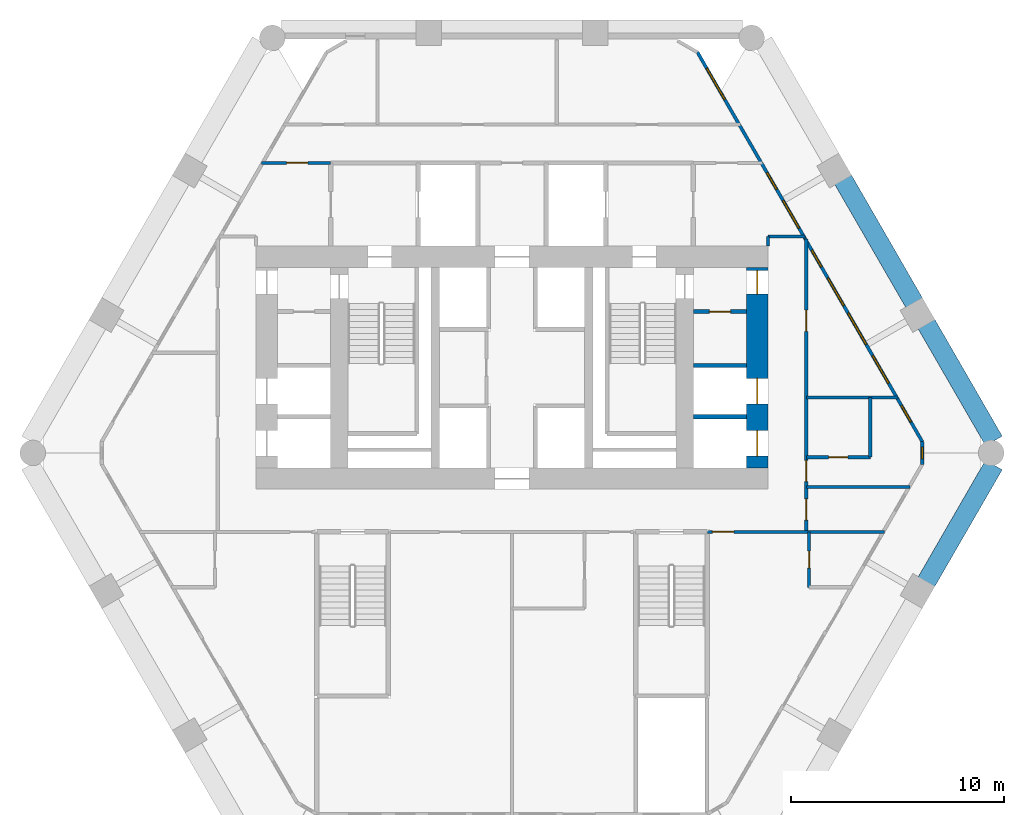
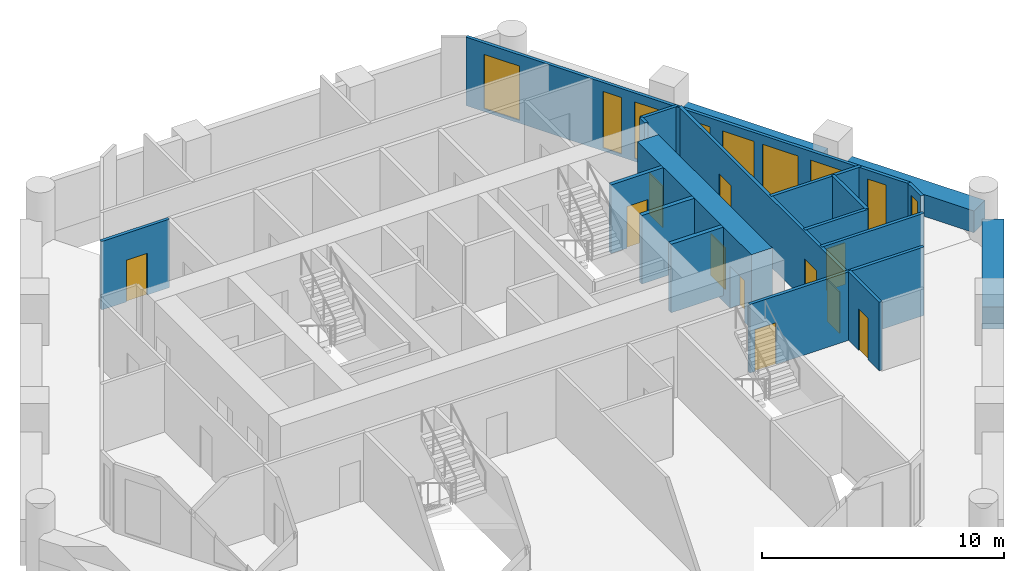
# One storey, part 5 of 7: 19 walls, 11 doors, 9 windows, 20 openings.
"""IFC4 building model written with IfcOpenShell, lengths in metres."""

from ifc_helpers import new_model, si_unit, direction, frame, frame_2d, origin, place, context, subcontext, project, spatial, rectangle, extrude, material, layer, layer_set, type_object, element, fill, save


model = new_model("IFC4")

# Units and contexts
model_context = context("Model", 3, precision=1e-05, world=origin(), true_north=direction((0.0, 1.0)))
body_context = subcontext(model_context, "Body", "Model", "MODEL_VIEW")
ifc_project = project(units=[si_unit("LENGTHUNIT", "METRE"), si_unit("AREAUNIT", "SQUARE_METRE"), si_unit("VOLUMEUNIT", "CUBIC_METRE"), si_unit("PLANEANGLEUNIT", "RADIAN"), si_unit("MASSUNIT", "GRAM", prefix="KILO")], contexts=[model_context])

# Site, building, storey
site_placement = place(None, origin())
site = spatial("IfcSite", under=ifc_project, at=site_placement, CompositionType="ELEMENT")
building_placement = place(site_placement, origin())
building = spatial("IfcBuilding", under=site, at=building_placement, Name="Ostrander Bayou Hotel Tower", CompositionType="ELEMENT")
storey_placement = place(building_placement, frame((0.0, 0.0, 89.25)))
storey = spatial("IfcBuildingStorey", under=building, at=storey_placement, Name="L22", CompositionType="ELEMENT", Elevation=89.25)

# Wall, openings, doors
ifc_material_1 = material(Name="Concrete f'c 70 MPa", Category="concrete")
ifc_layer_1 = layer(ifc_material_1, 1.0)
ifc_layer_set_1 = layer_set([ifc_layer_1], Name="CW4 core wall 1000 mm f'c 70 MPa")
wall_type_1 = type_object("IfcWallType", Name="CW4 core wall 1000 mm f'c 70 MPa", PredefinedType="SHEAR", material=ifc_layer_set_1)
wall_1_placement = place(storey_placement, frame((11.5, -0.699951171875, -0.300048828125), z_axis=(0.0, 0.0, 1.0), x_axis=(0.0, 1.0, 0.0)))
wall_1 = element("IfcWall", 1, at=wall_1_placement, inside=storey, type_object=wall_type_1, Name="CW4 L22 RE", PredefinedType="SHEAR", context=body_context, shape_type="SweptSolid", body=[
    extrude(rectangle(XDim=9.39990234375, YDim=1.0, at=frame_2d((4.699951171875, 0.0))), origin(), (0.0, 0.0, 1.0), 3.75),
])
opening_1_placement = place(wall_1_placement, frame((8.14990234375, 0.0, 0.0)))
opening_1 = element("IfcOpeningElement", 2, at=opening_1_placement, cuts=wall_1, Name="Opening T21-020", PredefinedType="OPENING", context=body_context, shape_type="SweptSolid", body=[
    extrude(rectangle(XDim=1.10009765625, YDim=2.10009765625, at=frame_2d((0.550048828125, 1.050048828125))), frame((0.0, 0.5, 0.0), z_axis=(0.0, -1.0, 0.0), x_axis=(1.0, 0.0, 0.0)), (0.0, 0.0, 1.0), 1.0),
])
opening_2_placement = place(wall_1_placement, frame((0.550048828125, 0.0, 0.0)))
opening_2 = element("IfcOpeningElement", 3, at=opening_2_placement, cuts=wall_1, Name="Opening T21-021", PredefinedType="OPENING", context=body_context, shape_type="SweptSolid", body=[
    extrude(rectangle(XDim=1.199951171875, YDim=2.10009765625, at=frame_2d((0.60009765625, 1.050048828125))), frame((0.0, 0.5, 0.0), z_axis=(0.0, -1.0, 0.0), x_axis=(1.0, 0.0, 0.0)), (0.0, 0.0, 1.0), 1.0),
])
opening_3_placement = place(wall_1_placement, frame((3.0, 0.0, 0.0)))
opening_3 = element("IfcOpeningElement", 4, at=opening_3_placement, cuts=wall_1, Name="Opening T21-022", PredefinedType="OPENING", context=body_context, shape_type="SweptSolid", body=[
    extrude(rectangle(XDim=1.199951171875, YDim=2.10009765625, at=frame_2d((0.60009765625, 1.050048828125))), frame((0.0, 0.5, 0.0), z_axis=(0.0, -1.0, 0.0), x_axis=(1.0, 0.0, 0.0)), (0.0, 0.0, 1.0), 1.0),
])
ifc_material_2 = material(Name="Timber door leaf", Category="wood")
door_type_1 = type_object("IfcDoorType", Name="D5 stair door 1100 x 2100 mm, 90 minute", OperationType="SINGLE_SWING_LEFT", PredefinedType="DOOR", material=ifc_material_2)
door_1_placement = place(opening_1_placement, origin())
door_1 = element("IfcDoor", 5, at=door_1_placement, inside=storey, type_object=door_type_1, Name="dr:L22:020", OperationType="SINGLE_SWING_RIGHT", OverallHeight=2.10009765625, OverallWidth=1.10009765625, PredefinedType="DOOR", context=body_context, shape_type="SweptSolid", body=[
    extrude(rectangle(XDim=1.10009765625, YDim=2.10009765625, at=frame_2d((0.550048828125, 1.050048828125))), frame((0.0, 0.02490234375, 0.0), z_axis=(0.0, -1.0, 0.0), x_axis=(1.0, 0.0, 0.0)), (0.0, 0.0, 1.0), 0.050048828125),
])
fill(opening_1, door_1)
ifc_material_3 = material(Name="Stainless steel sliding door", Category="steel")
door_type_2 = type_object("IfcDoorType", Name="LD1 lift landing door 1200 x 2100 mm", OperationType="SINGLE_SWING_LEFT", PredefinedType="DOOR", material=ifc_material_3)
door_2_placement = place(opening_2_placement, origin())
door_2 = element("IfcDoor", 6, at=door_2_placement, inside=storey, type_object=door_type_2, Name="dr:L22:021", OperationType="SLIDING_TO_LEFT", OverallHeight=2.10009765625, OverallWidth=1.199951171875, PredefinedType="DOOR", context=body_context, shape_type="SweptSolid", body=[
    extrude(rectangle(XDim=1.199951171875, YDim=2.10009765625, at=frame_2d((0.60009765625, 1.050048828125))), frame((0.0, 0.02490234375, 0.0), z_axis=(0.0, -1.0, 0.0), x_axis=(1.0, 0.0, 0.0)), (0.0, 0.0, 1.0), 0.050048828125),
])
fill(opening_2, door_2)
door_3_placement = place(opening_3_placement, origin())
door_3 = element("IfcDoor", 7, at=door_3_placement, inside=storey, type_object=door_type_2, Name="dr:L22:022", OperationType="SLIDING_TO_LEFT", OverallHeight=2.10009765625, OverallWidth=1.199951171875, PredefinedType="DOOR", context=body_context, shape_type="SweptSolid", body=[
    extrude(rectangle(XDim=1.199951171875, YDim=2.10009765625, at=frame_2d((0.60009765625, 1.050048828125))), frame((0.0, 0.02490234375, 0.0), z_axis=(0.0, -1.0, 0.0), x_axis=(1.0, 0.0, 0.0)), (0.0, 0.0, 1.0), 0.050048828125),
])
fill(opening_3, door_3)

# Wall, openings, windows
ifc_material_4 = material(Name="Aluminium framed insulated wall", Category="aluminium")
ifc_layer_2 = layer(ifc_material_4, 0.14990234375)
ifc_layer_set_2 = layer_set([ifc_layer_2], Name="GW1 glass-line wall 150 mm")
wall_type_2 = type_object("IfcWallType", Name="GW1 glass-line wall 150 mm", PredefinedType="SOLIDWALL", material=ifc_layer_set_2)
wall_2_placement = place(storey_placement, frame((19.23583984375, 0.532470703125, 0.0), z_axis=(0.0, 0.0, 1.0), x_axis=(-0.49999341138, 0.866029207692, 0.0)))
wall_2 = element("IfcWall", 8, at=wall_2_placement, inside=storey, type_object=wall_type_2, Name="GW1 L22 NE 1", PredefinedType="SOLIDWALL", context=body_context, shape_type="SweptSolid", body=[
    extrude(rectangle(XDim=21.084716796875, YDim=0.14990234375, at=frame_2d((10.54248046875, 0.0))), origin(), (0.0, 0.0, 1.0), 3.449951171875),
])
opening_4_placement = place(wall_2_placement, frame((1.056884765625, 0.0, 0.14990234375)))
opening_4 = element("IfcOpeningElement", 9, at=opening_4_placement, cuts=wall_2, Name="Opening W16", PredefinedType="OPENING", context=body_context, shape_type="SweptSolid", body=[
    extrude(rectangle(XDim=0.89990234375, YDim=2.85009765625, at=frame_2d((0.449951171875, 1.425048828125))), frame((0.0, 0.074951171875, 0.0), z_axis=(0.0, -1.0, 0.0), x_axis=(1.0, 0.0, 0.0)), (0.0, 0.0, 1.0), 0.14990234375),
])
opening_5_placement = place(wall_2_placement, frame((3.15673828125, 0.0, 0.14990234375)))
opening_5 = element("IfcOpeningElement", 10, at=opening_5_placement, cuts=wall_2, Name="Opening W12", PredefinedType="OPENING", context=body_context, shape_type="SweptSolid", body=[
    extrude(rectangle(XDim=1.5, YDim=2.85009765625, at=frame_2d((0.75, 1.425048828125))), frame((0.0, 0.074951171875, 0.0), z_axis=(0.0, -1.0, 0.0), x_axis=(1.0, 0.0, 0.0)), (0.0, 0.0, 1.0), 0.14990234375),
])
opening_6_placement = place(wall_2_placement, frame((5.2568359375, 0.0, 0.14990234375)))
opening_6 = element("IfcOpeningElement", 11, at=opening_6_placement, cuts=wall_2, Name="Opening W2", PredefinedType="OPENING", context=body_context, shape_type="SweptSolid", body=[
    extrude(rectangle(XDim=1.699951171875, YDim=2.85009765625, at=frame_2d((0.85009765625, 1.425048828125))), frame((0.0, 0.074951171875, 0.0), z_axis=(0.0, -1.0, 0.0), x_axis=(1.0, 0.0, 0.0)), (0.0, 0.0, 1.0), 0.14990234375),
])
opening_7_placement = place(wall_2_placement, frame((7.356689453125, 0.0, 0.14990234375)))
opening_7 = element("IfcOpeningElement", 12, at=opening_7_placement, cuts=wall_2, Name="Opening W12", PredefinedType="OPENING", context=body_context, shape_type="SweptSolid", body=[
    extrude(rectangle(XDim=1.5, YDim=2.85009765625, at=frame_2d((0.75, 1.425048828125))), frame((0.0, 0.074951171875, 0.0), z_axis=(0.0, -1.0, 0.0), x_axis=(1.0, 0.0, 0.0)), (0.0, 0.0, 1.0), 0.14990234375),
])
opening_8_placement = place(wall_2_placement, frame((9.456787109375, 0.0, 0.14990234375)))
opening_8 = element("IfcOpeningElement", 13, at=opening_8_placement, cuts=wall_2, Name="Opening W16", PredefinedType="OPENING", context=body_context, shape_type="SweptSolid", body=[
    extrude(rectangle(XDim=0.89990234375, YDim=2.85009765625, at=frame_2d((0.449951171875, 1.425048828125))), frame((0.0, 0.074951171875, 0.0), z_axis=(0.0, -1.0, 0.0), x_axis=(1.0, 0.0, 0.0)), (0.0, 0.0, 1.0), 0.14990234375),
])
opening_9_placement = place(wall_2_placement, frame((11.556884765625, 0.0, 0.14990234375)))
opening_9 = element("IfcOpeningElement", 14, at=opening_9_placement, cuts=wall_2, Name="Opening W12", PredefinedType="OPENING", context=body_context, shape_type="SweptSolid", body=[
    extrude(rectangle(XDim=1.5, YDim=2.85009765625, at=frame_2d((0.75, 1.425048828125))), frame((0.0, 0.074951171875, 0.0), z_axis=(0.0, -1.0, 0.0), x_axis=(1.0, 0.0, 0.0)), (0.0, 0.0, 1.0), 0.14990234375),
])
opening_10_placement = place(wall_2_placement, frame((13.65673828125, 0.0, 0.14990234375)))
opening_10 = element("IfcOpeningElement", 15, at=opening_10_placement, cuts=wall_2, Name="Opening W16", PredefinedType="OPENING", context=body_context, shape_type="SweptSolid", body=[
    extrude(rectangle(XDim=0.89990234375, YDim=2.85009765625, at=frame_2d((0.449951171875, 1.425048828125))), frame((0.0, 0.074951171875, 0.0), z_axis=(0.0, -1.0, 0.0), x_axis=(1.0, 0.0, 0.0)), (0.0, 0.0, 1.0), 0.14990234375),
])
opening_11_placement = place(wall_2_placement, frame((18.520751953125, 0.0, 0.14990234375)))
opening_11 = element("IfcOpeningElement", 16, at=opening_11_placement, cuts=wall_2, Name="Opening W2", PredefinedType="OPENING", context=body_context, shape_type="SweptSolid", body=[
    extrude(rectangle(XDim=1.699951171875, YDim=2.72998046875, at=frame_2d((0.85009765625, 1.364990234375))), frame((0.0, 0.074951171875, 0.0), z_axis=(0.0, -1.0, 0.0), x_axis=(1.0, 0.0, 0.0)), (0.0, 0.0, 1.0), 0.14990234375),
])
ifc_material_5 = material(Name="Aluminium and clear glass", Category="aluminium")
window_type_1 = type_object("IfcWindowType", Name="W12 fixed window 1500 mm, bath bay, zone 2", PartitioningType="SINGLE_PANEL", PredefinedType="WINDOW", material=ifc_material_5)
window_1_placement = place(opening_5_placement, origin())
window_1 = element("IfcWindow", 17, at=window_1_placement, inside=storey, type_object=window_type_1, Name="W12 L22 NE 1", OverallHeight=2.85009765625, OverallWidth=1.5, PartitioningType="SINGLE_PANEL", PredefinedType="WINDOW", context=body_context, shape_type="SweptSolid", body=[
    extrude(rectangle(XDim=1.5, YDim=2.85009765625, at=frame_2d((0.75, 1.425048828125))), frame((0.0, 0.030029296875, 0.0), z_axis=(0.0, -1.0, 0.0), x_axis=(1.0, 0.0, 0.0)), (0.0, 0.0, 1.0), 0.06005859375),
])
fill(opening_5, window_1)
window_2_placement = place(opening_7_placement, origin())
window_2 = element("IfcWindow", 18, at=window_2_placement, inside=storey, type_object=window_type_1, Name="W12 L22 NE 2", OverallHeight=2.85009765625, OverallWidth=1.5, PartitioningType="SINGLE_PANEL", PredefinedType="WINDOW", context=body_context, shape_type="SweptSolid", body=[
    extrude(rectangle(XDim=1.5, YDim=2.85009765625, at=frame_2d((0.75, 1.425048828125))), frame((0.0, 0.030029296875, 0.0), z_axis=(0.0, -1.0, 0.0), x_axis=(1.0, 0.0, 0.0)), (0.0, 0.0, 1.0), 0.06005859375),
])
fill(opening_7, window_2)
window_3_placement = place(opening_9_placement, origin())
window_3 = element("IfcWindow", 19, at=window_3_placement, inside=storey, type_object=window_type_1, Name="W12 L22 NE 3", OverallHeight=2.85009765625, OverallWidth=1.5, PartitioningType="SINGLE_PANEL", PredefinedType="WINDOW", context=body_context, shape_type="SweptSolid", body=[
    extrude(rectangle(XDim=1.5, YDim=2.85009765625, at=frame_2d((0.75, 1.425048828125))), frame((0.0, 0.030029296875, 0.0), z_axis=(0.0, -1.0, 0.0), x_axis=(1.0, 0.0, 0.0)), (0.0, 0.0, 1.0), 0.06005859375),
])
fill(opening_9, window_3)
ifc_material_6 = material(Name="Aluminium and clear glass", Category="aluminium")
window_type_2 = type_object("IfcWindowType", Name="W16 window 900 mm, zone 2", PartitioningType="SINGLE_PANEL", PredefinedType="WINDOW", material=ifc_material_6)
window_4_placement = place(opening_4_placement, origin())
window_4 = element("IfcWindow", 20, at=window_4_placement, inside=storey, type_object=window_type_2, Name="W16 L22 NE 1", OverallHeight=2.85009765625, OverallWidth=0.89990234375, PartitioningType="SINGLE_PANEL", PredefinedType="WINDOW", context=body_context, shape_type="SweptSolid", body=[
    extrude(rectangle(XDim=0.89990234375, YDim=2.85009765625, at=frame_2d((0.449951171875, 1.425048828125))), frame((0.0, 0.030029296875, 0.0), z_axis=(0.0, -1.0, 0.0), x_axis=(1.0, 0.0, 0.0)), (0.0, 0.0, 1.0), 0.06005859375),
])
fill(opening_4, window_4)
window_5_placement = place(opening_8_placement, origin())
window_5 = element("IfcWindow", 21, at=window_5_placement, inside=storey, type_object=window_type_2, Name="W16 L22 NE 3", OverallHeight=2.85009765625, OverallWidth=0.89990234375, PartitioningType="SINGLE_PANEL", PredefinedType="WINDOW", context=body_context, shape_type="SweptSolid", body=[
    extrude(rectangle(XDim=0.89990234375, YDim=2.85009765625, at=frame_2d((0.449951171875, 1.425048828125))), frame((0.0, 0.030029296875, 0.0), z_axis=(0.0, -1.0, 0.0), x_axis=(1.0, 0.0, 0.0)), (0.0, 0.0, 1.0), 0.06005859375),
])
fill(opening_8, window_5)
window_6_placement = place(opening_10_placement, origin())
window_6 = element("IfcWindow", 22, at=window_6_placement, inside=storey, type_object=window_type_2, Name="W16 L22 NE 4", OverallHeight=2.85009765625, OverallWidth=0.89990234375, PartitioningType="SINGLE_PANEL", PredefinedType="WINDOW", context=body_context, shape_type="SweptSolid", body=[
    extrude(rectangle(XDim=0.89990234375, YDim=2.85009765625, at=frame_2d((0.449951171875, 1.425048828125))), frame((0.0, 0.030029296875, 0.0), z_axis=(0.0, -1.0, 0.0), x_axis=(1.0, 0.0, 0.0)), (0.0, 0.0, 1.0), 0.06005859375),
])
fill(opening_10, window_6)
ifc_material_7 = material(Name="Aluminium and clear glass", Category="aluminium")
window_type_3 = type_object("IfcWindowType", Name="W2 fixed window 1700 mm, zone 2", PartitioningType="SINGLE_PANEL", PredefinedType="WINDOW", material=ifc_material_7)
window_7_placement = place(opening_6_placement, origin())
window_7 = element("IfcWindow", 23, at=window_7_placement, inside=storey, type_object=window_type_3, Name="W2 L22 NE 2", OverallHeight=2.85009765625, OverallWidth=1.699951171875, PartitioningType="SINGLE_PANEL", PredefinedType="WINDOW", context=body_context, shape_type="SweptSolid", body=[
    extrude(rectangle(XDim=1.699951171875, YDim=2.85009765625, at=frame_2d((0.85009765625, 1.425048828125))), frame((0.0, 0.030029296875, 0.0), z_axis=(0.0, -1.0, 0.0), x_axis=(1.0, 0.0, 0.0)), (0.0, 0.0, 1.0), 0.06005859375),
])
fill(opening_6, window_7)
window_8_placement = place(opening_11_placement, origin())
window_8 = element("IfcWindow", 24, at=window_8_placement, inside=storey, type_object=window_type_3, Name="W2 L22 NE E21", OverallHeight=2.72998046875, OverallWidth=1.699951171875, PartitioningType="SINGLE_PANEL", PredefinedType="WINDOW", context=body_context, shape_type="SweptSolid", body=[
    extrude(rectangle(XDim=1.699951171875, YDim=2.72998046875, at=frame_2d((0.85009765625, 1.364990234375))), frame((0.0, 0.030029296875, 0.0), z_axis=(0.0, -1.0, 0.0), x_axis=(1.0, 0.0, 0.0)), (0.0, 0.0, 1.0), 0.06005859375),
])
fill(opening_11, window_8)

# Wall, opening, window
wall_3_placement = place(storey_placement, frame((19.23583984375, -0.532470703125, 0.0), z_axis=(0.0, 0.0, 1.0), x_axis=(0.0, 1.0, 0.0)))
wall_3 = element("IfcWall", 25, at=wall_3_placement, inside=storey, type_object=wall_type_2, Name="GW1 L22 corner 5", PredefinedType="SOLIDWALL", context=body_context, shape_type="SweptSolid", body=[
    extrude(rectangle(XDim=1.06494140625, YDim=0.14990234375, at=frame_2d((0.532470703125, 0.0))), origin(), (0.0, 0.0, 1.0), 3.449951171875),
])
opening_12_placement = place(wall_3_placement, frame((0.257568359375, 0.0, 0.14990234375)))
opening_12 = element("IfcOpeningElement", 26, at=opening_12_placement, cuts=wall_3, Name="Opening W19", PredefinedType="OPENING", context=body_context, shape_type="SweptSolid", body=[
    extrude(rectangle(XDim=0.550048828125, YDim=2.85009765625, at=frame_2d((0.27490234375, 1.425048828125))), frame((0.0, 0.074951171875, 0.0), z_axis=(0.0, -1.0, 0.0), x_axis=(1.0, 0.0, 0.0)), (0.0, 0.0, 1.0), 0.14990234375),
])
ifc_material_8 = material(Name="Aluminium and clear glass", Category="aluminium")
window_type_4 = type_object("IfcWindowType", Name="W19 corner window 550 mm", PartitioningType="SINGLE_PANEL", PredefinedType="WINDOW", material=ifc_material_8)
window_9_placement = place(opening_12_placement, origin())
window_9 = element("IfcWindow", 27, at=window_9_placement, inside=storey, type_object=window_type_4, Name="W19 L22 corner 5", OverallHeight=2.85009765625, OverallWidth=0.550048828125, PartitioningType="SINGLE_PANEL", PredefinedType="WINDOW", context=body_context, shape_type="SweptSolid", body=[
    extrude(rectangle(XDim=0.550048828125, YDim=2.85009765625, at=frame_2d((0.27490234375, 1.425048828125))), frame((0.0, 0.030029296875, 0.0), z_axis=(0.0, -1.0, 0.0), x_axis=(1.0, 0.0, 0.0)), (0.0, 0.0, 1.0), 0.06005859375),
])
fill(opening_12, window_9)

# Walls
ifc_material_9 = material(Name="Concrete f'c 40 MPa", Category="concrete")
ifc_layer_3 = layer(ifc_material_9, 0.89990234375)
ifc_layer_set_3 = layer_set([ifc_layer_3], Name="PA1 stone-faced parapet 900 mm")
wall_type_3 = type_object("IfcWallType", Name="PA1 stone-faced parapet 900 mm", PredefinedType="PARAPET", material=ifc_layer_set_3)
wall_4_placement = place(storey_placement, frame((22.595458984375, 0.563720703125, 0.0), z_axis=(0.0, 0.0, 1.0), x_axis=(-0.500011668103, 0.866018667098, 0.0)))
element("IfcWall", 28, at=wall_4_placement, inside=storey, type_object=wall_type_3, Name="PA1 L22 NE-1", PredefinedType="PARAPET", context=body_context, shape_type="SweptSolid", body=[
    extrude(rectangle(XDim=6.332763671875, YDim=0.89990234375, at=frame_2d((3.16650390625, 0.0))), origin(), (0.0, 0.0, 1.0), 1.10009765625),
])
wall_5_placement = place(storey_placement, frame((18.85888671875, 7.035400390625, 0.0), z_axis=(0.0, 0.0, 1.0), x_axis=(-0.499999023957, 0.866025967302, 0.0)))
element("IfcWall", 29, at=wall_5_placement, inside=storey, type_object=wall_type_3, Name="PA1 L22 NE-2", PredefinedType="PARAPET", context=body_context, shape_type="SweptSolid", body=[
    extrude(rectangle(XDim=6.67333984375, YDim=0.89990234375, at=frame_2d((3.336669921875, 0.0))), origin(), (0.0, 0.0, 1.0), 1.10009765625),
])
ifc_material_10 = material(Name="Limestone masonry", Category="masonry")
ifc_layer_4 = layer(ifc_material_10, 0.89990234375)
ifc_layer_set_4 = layer_set([ifc_layer_4], Name="PA2 limestone parapet 900 mm")
wall_type_4 = type_object("IfcWallType", Name="PA2 limestone parapet 900 mm", PredefinedType="PARAPET", material=ifc_layer_set_4)
wall_6_placement = place(storey_placement, frame((19.428955078125, -6.048095703125, 0.0), z_axis=(0.0, 0.0, 1.0), x_axis=(0.500011668103, 0.866018667098, 0.0)))
element("IfcWall", 30, at=wall_6_placement, inside=storey, type_object=wall_type_4, Name="PA2 L22 SE-3", PredefinedType="PARAPET", context=body_context, shape_type="SweptSolid", body=[
    extrude(rectangle(XDim=6.332763671875, YDim=0.89990234375, at=frame_2d((3.16650390625, 0.0))), origin(), (0.0, 0.0, 1.0), 1.10009765625),
])

# Wall, opening, door
ifc_material_11 = material(Name="Gypsum board partition", Category="finish")
ifc_layer_5 = layer(ifc_material_11, 0.175048828125)
ifc_layer_set_5 = layer_set([ifc_layer_5], Name="PT4 corridor wall 175 mm, 1 hour")
wall_type_5 = type_object("IfcWallType", Name="PT4 corridor wall 175 mm, 1 hour", PredefinedType="PARTITIONING", material=ifc_layer_set_5)
wall_7_placement = place(storey_placement, frame((8.5, 6.6298828125, 0.0), z_axis=(0.0, 0.0, 1.0), x_axis=(1.0, 0.0, 0.0)))
wall_7 = element("IfcWall", 31, at=wall_7_placement, inside=storey, type_object=wall_type_5, Name="cs:L22:038", PredefinedType="PARTITIONING", context=body_context, shape_type="SweptSolid", body=[
    extrude(rectangle(XDim=2.5, YDim=0.175048828125, at=frame_2d((1.25, 0.0))), origin(), (0.0, 0.0, 1.0), 3.449951171875),
])
opening_13_placement = place(wall_7_placement, frame((0.75, 0.0, 0.0)))
opening_13 = element("IfcOpeningElement", 32, at=opening_13_placement, cuts=wall_7, Name="Opening T21-019", PredefinedType="OPENING", context=body_context, shape_type="SweptSolid", body=[
    extrude(rectangle(XDim=1.0, YDim=2.10009765625, at=frame_2d((0.5, 1.050048828125))), frame((0.0, 0.08740234375, 0.0), z_axis=(0.0, -1.0, 0.0), x_axis=(1.0, 0.0, 0.0)), (0.0, 0.0, 1.0), 0.175048828125),
])
ifc_material_12 = material(Name="Timber door leaf", Category="wood")
door_type_3 = type_object("IfcDoorType", Name="D4 corridor door 1000 x 2100 mm, 1 hour", OperationType="SINGLE_SWING_LEFT", PredefinedType="DOOR", material=ifc_material_12)
door_4_placement = place(opening_13_placement, origin())
door_4 = element("IfcDoor", 33, at=door_4_placement, inside=storey, type_object=door_type_3, Name="dr:L22:019", OperationType="SINGLE_SWING_RIGHT", OverallHeight=2.10009765625, OverallWidth=1.0, PredefinedType="DOOR", context=body_context, shape_type="SweptSolid", body=[
    extrude(rectangle(XDim=1.0, YDim=2.10009765625, at=frame_2d((0.5, 1.050048828125))), frame((0.0, 0.02490234375, 0.0), z_axis=(0.0, -1.0, 0.0), x_axis=(1.0, 0.0, 0.0)), (0.0, 0.0, 1.0), 0.050048828125),
])
fill(opening_13, door_4)

# Walls
ifc_material_13 = material(Name="Masonry block", Category="masonry")
ifc_layer_6 = layer(ifc_material_13, 0.199951171875)
ifc_layer_set_6 = layer_set([ifc_layer_6], Name="PT6 lift shaft wall 200 mm masonry, 2 hour")
wall_type_6 = type_object("IfcWallType", Name="PT6 lift shaft wall 200 mm masonry, 2 hour", PredefinedType="PARTITIONING", material=ifc_layer_set_6)
for number, where, z_axis, x_axis, name in (
    (34, (8.5, 1.699951171875, 0.0), (0.0, 0.0, 1.0), (1.0, 0.0, 0.0), "cs:L22:036"),
    (35, (8.5, 4.10009765625, 0.0), (0.0, 0.0, 1.0), (1.0, 0.0, 0.0), "cs:L22:037"),
):
    element("IfcWall", number, at=place(storey_placement, frame(where, z_axis=z_axis, x_axis=x_axis)), inside=storey, type_object=wall_type_6, Name=name, PredefinedType="PARTITIONING", context=body_context, shape_type="SweptSolid", body=[
        extrude(rectangle(XDim=2.5, YDim=0.199951171875, at=frame_2d((1.25, 0.0))), origin(), (0.0, 0.0, 1.0), 3.449951171875),
    ])

# Wall, opening, door
ifc_material_14 = material(Name="Gypsum board partition", Category="finish")
ifc_layer_7 = layer(ifc_material_14, 0.14990234375)
ifc_layer_set_7 = layer_set([ifc_layer_7], Name="PT8 service band wall 150 mm, 1 hour")
wall_type_7 = type_object("IfcWallType", Name="PT8 service band wall 150 mm, 1 hour", PredefinedType="PARTITIONING", material=ifc_layer_set_7)
wall_8_placement = place(storey_placement, frame((9.159912109375, -3.699951171875, 0.0), z_axis=(0.0, 0.0, 1.0), x_axis=(1.0, 0.0, 0.0)))
wall_8 = element("IfcWall", 36, at=wall_8_placement, inside=storey, type_object=wall_type_7, Name="gw:L22:006", PredefinedType="PARTITIONING", context=body_context, shape_type="SweptSolid", body=[
    extrude(rectangle(XDim=8.299072265625, YDim=0.14990234375, at=frame_2d((4.1494140625, 0.0))), origin(), (0.0, 0.0, 1.0), 3.449951171875),
])
opening_14_placement = place(wall_8_placement, frame((0.239990234375, 0.0, 0.0)))
opening_14 = element("IfcOpeningElement", 37, at=opening_14_placement, cuts=wall_8, Name="Opening T21-405", PredefinedType="OPENING", context=body_context, shape_type="SweptSolid", body=[
    extrude(rectangle(XDim=1.0, YDim=2.10009765625, at=frame_2d((0.5, 1.050048828125))), frame((0.0, 0.074951171875, 0.0), z_axis=(0.0, -1.0, 0.0), x_axis=(1.0, 0.0, 0.0)), (0.0, 0.0, 1.0), 0.14990234375),
])
ifc_material_15 = material(Name="Timber door leaf", Category="wood")
door_type_4 = type_object("IfcDoorType", Name="D1 guest room door 1000 x 2100 mm, 30 minute", OperationType="SINGLE_SWING_LEFT", PredefinedType="DOOR", material=ifc_material_15)
door_5_placement = place(opening_14_placement, origin())
door_5 = element("IfcDoor", 38, at=door_5_placement, inside=storey, type_object=door_type_4, Name="dr:L22:405", OperationType="SINGLE_SWING_LEFT", OverallHeight=2.10009765625, OverallWidth=1.0, PredefinedType="DOOR", context=body_context, shape_type="SweptSolid", body=[
    extrude(rectangle(XDim=1.0, YDim=2.10009765625, at=frame_2d((0.5, 1.050048828125))), frame((0.0, 0.02490234375, 0.0), z_axis=(0.0, -1.0, 0.0), x_axis=(1.0, 0.0, 0.0)), (0.0, 0.0, 1.0), 0.050048828125),
])
fill(opening_14, door_5)

# Wall
wall_9_placement = place(storey_placement, frame((13.800048828125, -1.60009765625, 0.0), z_axis=(0.0, 0.0, 1.0), x_axis=(1.0, 0.0, 0.0)))
element("IfcWall", 39, at=wall_9_placement, inside=storey, type_object=wall_type_7, Name="gw:L22:007", PredefinedType="PARTITIONING", context=body_context, shape_type="SweptSolid", body=[
    extrude(rectangle(XDim=4.8720703125, YDim=0.14990234375, at=frame_2d((2.43603515625, 0.0))), origin(), (0.0, 0.0, 1.0), 3.449951171875),
])

# Wall, opening, door
wall_10_placement = place(storey_placement, frame((13.800048828125, -0.199951171875, 0.0), z_axis=(0.0, 0.0, 1.0), x_axis=(1.0, 0.0, 0.0)))
wall_10 = element("IfcWall", 40, at=wall_10_placement, inside=storey, type_object=wall_type_7, Name="gw:L22:008", PredefinedType="PARTITIONING", context=body_context, shape_type="SweptSolid", body=[
    extrude(rectangle(XDim=3.0, YDim=0.14990234375, at=frame_2d((1.5, 0.0))), origin(), (0.0, 0.0, 1.0), 3.449951171875),
])
opening_15_placement = place(wall_10_placement, frame((1.050048828125, 0.0, 0.0)))
opening_15 = element("IfcOpeningElement", 41, at=opening_15_placement, cuts=wall_10, Name="Opening T21-411", PredefinedType="OPENING", context=body_context, shape_type="SweptSolid", body=[
    extrude(rectangle(XDim=0.89990234375, YDim=2.10009765625, at=frame_2d((0.449951171875, 1.050048828125))), frame((0.0, 0.074951171875, 0.0), z_axis=(0.0, -1.0, 0.0), x_axis=(1.0, 0.0, 0.0)), (0.0, 0.0, 1.0), 0.14990234375),
])
ifc_material_16 = material(Name="Timber door leaf", Category="wood")
door_type_5 = type_object("IfcDoorType", Name="D14 bathroom door 900 x 2100 mm", OperationType="SINGLE_SWING_LEFT", PredefinedType="DOOR", material=ifc_material_16)
door_6_placement = place(opening_15_placement, origin())
door_6 = element("IfcDoor", 42, at=door_6_placement, inside=storey, type_object=door_type_5, Name="dr:L22:411", OperationType="SINGLE_SWING_LEFT", OverallHeight=2.10009765625, OverallWidth=0.89990234375, PredefinedType="DOOR", context=body_context, shape_type="SweptSolid", body=[
    extrude(rectangle(XDim=0.89990234375, YDim=2.10009765625, at=frame_2d((0.449951171875, 1.050048828125))), frame((0.0, 0.02490234375, 0.0), z_axis=(0.0, -1.0, 0.0), x_axis=(1.0, 0.0, 0.0)), (0.0, 0.0, 1.0), 0.050048828125),
])
fill(opening_15, door_6)

# Walls
wall_11_placement = place(storey_placement, frame((13.800048828125, 2.60009765625, 0.0), z_axis=(0.0, 0.0, 1.0), x_axis=(1.0, 0.0, 0.0)))
element("IfcWall", 43, at=wall_11_placement, inside=storey, type_object=wall_type_7, Name="gw:L22:009", PredefinedType="PARTITIONING", context=body_context, shape_type="SweptSolid", body=[
    extrude(rectangle(XDim=4.2939453125, YDim=0.14990234375, at=frame_2d((2.14697265625, 0.0))), origin(), (0.0, 0.0, 1.0), 3.449951171875),
])
wall_12_placement = place(storey_placement, frame((12.0, 10.14990234375, 0.0), z_axis=(0.0, 0.0, 1.0), x_axis=(1.0, 0.0, 0.0)))
element("IfcWall", 44, at=wall_12_placement, inside=storey, type_object=wall_type_7, Name="gw:L22:012", PredefinedType="PARTITIONING", context=body_context, shape_type="SweptSolid", body=[
    extrude(rectangle(XDim=1.735107421875, YDim=0.14990234375, at=frame_2d((0.86767578125, 0.0))), origin(), (0.0, 0.0, 1.0), 3.449951171875),
])

# Wall, opening, door
wall_13_placement = place(storey_placement, frame((-11.742919921875, 13.60009765625, 0.0), z_axis=(0.0, 0.0, 1.0), x_axis=(1.0, 0.0, 0.0)))
wall_13 = element("IfcWall", 45, at=wall_13_placement, inside=storey, type_object=wall_type_7, Name="gw:L22:013", PredefinedType="PARTITIONING", context=body_context, shape_type="SweptSolid", body=[
    extrude(rectangle(XDim=3.23291015625, YDim=0.14990234375, at=frame_2d((1.616455078125, 0.0))), origin(), (0.0, 0.0, 1.0), 3.449951171875),
])
opening_16_placement = place(wall_13_placement, frame((1.177978515625, 0.0, 0.0)))
opening_16 = element("IfcOpeningElement", 46, at=opening_16_placement, cuts=wall_13, Name="Opening T21-416", PredefinedType="OPENING", context=body_context, shape_type="SweptSolid", body=[
    extrude(rectangle(XDim=1.0, YDim=2.10009765625, at=frame_2d((0.5, 1.050048828125))), frame((0.0, 0.074951171875, 0.0), z_axis=(0.0, -1.0, 0.0), x_axis=(1.0, 0.0, 0.0)), (0.0, 0.0, 1.0), 0.14990234375),
])
ifc_material_17 = material(Name="Timber door leaf", Category="wood")
door_type_6 = type_object("IfcDoorType", Name="D9 service door 1000 x 2100 mm, 30 minute", OperationType="SINGLE_SWING_LEFT", PredefinedType="DOOR", material=ifc_material_17)
door_7_placement = place(opening_16_placement, origin())
door_7 = element("IfcDoor", 47, at=door_7_placement, inside=storey, type_object=door_type_6, Name="dr:L22:416", OperationType="SINGLE_SWING_RIGHT", OverallHeight=2.10009765625, OverallWidth=1.0, PredefinedType="DOOR", context=body_context, shape_type="SweptSolid", body=[
    extrude(rectangle(XDim=1.0, YDim=2.10009765625, at=frame_2d((0.5, 1.050048828125))), frame((0.0, 0.02490234375, 0.0), z_axis=(0.0, -1.0, 0.0), x_axis=(1.0, 0.0, 0.0)), (0.0, 0.0, 1.0), 0.050048828125),
])
fill(opening_16, door_7)

# Wall
wall_14_placement = place(storey_placement, frame((16.800048828125, -0.199951171875, 0.0), z_axis=(0.0, 0.0, 1.0), x_axis=(0.0, 1.0, 0.0)))
element("IfcWall", 48, at=wall_14_placement, inside=storey, type_object=wall_type_7, Name="gw:L22:016", PredefinedType="PARTITIONING", context=body_context, shape_type="SweptSolid", body=[
    extrude(rectangle(XDim=2.800048828125, YDim=0.14990234375, at=frame_2d((1.39990234375, 0.0))), origin(), (0.0, 0.0, 1.0), 3.449951171875),
])

# Wall, opening, door
wall_15_placement = place(storey_placement, frame((13.929931640625, -6.300048828125, 0.0), z_axis=(0.0, 0.0, 1.0), x_axis=(0.0, 1.0, 0.0)))
wall_15 = element("IfcWall", 49, at=wall_15_placement, inside=storey, type_object=wall_type_7, Name="gw:L22:017", PredefinedType="PARTITIONING", context=body_context, shape_type="SweptSolid", body=[
    extrude(rectangle(XDim=2.60009765625, YDim=0.14990234375, at=frame_2d((1.300048828125, 0.0))), origin(), (0.0, 0.0, 1.0), 3.449951171875),
])
opening_17_placement = place(wall_15_placement, frame((0.89990234375, 0.0, 0.0)))
opening_17 = element("IfcOpeningElement", 50, at=opening_17_placement, cuts=wall_15, Name="Opening T21-406", PredefinedType="OPENING", context=body_context, shape_type="SweptSolid", body=[
    extrude(rectangle(XDim=0.800048828125, YDim=2.10009765625, at=frame_2d((0.39990234375, 1.050048828125))), frame((0.0, 0.074951171875, 0.0), z_axis=(0.0, -1.0, 0.0), x_axis=(1.0, 0.0, 0.0)), (0.0, 0.0, 1.0), 0.14990234375),
])
ifc_material_18 = material(Name="Timber door leaf", Category="wood")
door_type_7 = type_object("IfcDoorType", Name="D2 bathroom door 800 x 2100 mm", OperationType="SINGLE_SWING_LEFT", PredefinedType="DOOR", material=ifc_material_18)
door_8_placement = place(opening_17_placement, origin())
door_8 = element("IfcDoor", 51, at=door_8_placement, inside=storey, type_object=door_type_7, Name="dr:L22:406", OperationType="SINGLE_SWING_RIGHT", OverallHeight=2.10009765625, OverallWidth=0.800048828125, PredefinedType="DOOR", context=body_context, shape_type="SweptSolid", body=[
    extrude(rectangle(XDim=0.800048828125, YDim=2.10009765625, at=frame_2d((0.39990234375, 1.050048828125))), frame((0.0, 0.02490234375, 0.0), z_axis=(0.0, -1.0, 0.0), x_axis=(1.0, 0.0, 0.0)), (0.0, 0.0, 1.0), 0.050048828125),
])
fill(opening_17, door_8)

# Wall, openings, doors
wall_16_placement = place(storey_placement, frame((13.800048828125, -3.699951171875, 0.0), z_axis=(0.0, 0.0, 1.0), x_axis=(0.0, 1.0, 0.0)))
wall_16 = element("IfcWall", 52, at=wall_16_placement, inside=storey, type_object=wall_type_7, Name="gw:L22:018", PredefinedType="PARTITIONING", context=body_context, shape_type="SweptSolid", body=[
    extrude(rectangle(XDim=13.738037109375, YDim=0.14990234375, at=frame_2d((6.869140625, 0.0))), origin(), (0.0, 0.0, 1.0), 3.449951171875),
])
opening_18_placement = place(wall_16_placement, frame((0.550048828125, 0.0, 0.0)))
opening_18 = element("IfcOpeningElement", 53, at=opening_18_placement, cuts=wall_16, Name="Opening T21-409", PredefinedType="OPENING", context=body_context, shape_type="SweptSolid", body=[
    extrude(rectangle(XDim=1.0, YDim=2.10009765625, at=frame_2d((0.5, 1.050048828125))), frame((0.0, 0.074951171875, 0.0), z_axis=(0.0, -1.0, 0.0), x_axis=(1.0, 0.0, 0.0)), (0.0, 0.0, 1.0), 0.14990234375),
])
opening_19_placement = place(wall_16_placement, frame((2.35009765625, 0.0, 0.0)))
opening_19 = element("IfcOpeningElement", 54, at=opening_19_placement, cuts=wall_16, Name="Opening T21-410", PredefinedType="OPENING", context=body_context, shape_type="SweptSolid", body=[
    extrude(rectangle(XDim=1.0, YDim=2.10009765625, at=frame_2d((0.5, 1.050048828125))), frame((0.0, 0.074951171875, 0.0), z_axis=(0.0, -1.0, 0.0), x_axis=(1.0, 0.0, 0.0)), (0.0, 0.0, 1.0), 0.14990234375),
])
opening_20_placement = place(wall_16_placement, frame((9.39990234375, 0.0, 0.0)))
opening_20 = element("IfcOpeningElement", 55, at=opening_20_placement, cuts=wall_16, Name="Opening T21-412", PredefinedType="OPENING", context=body_context, shape_type="SweptSolid", body=[
    extrude(rectangle(XDim=1.0, YDim=2.10009765625, at=frame_2d((0.5, 1.050048828125))), frame((0.0, 0.074951171875, 0.0), z_axis=(0.0, -1.0, 0.0), x_axis=(1.0, 0.0, 0.0)), (0.0, 0.0, 1.0), 0.14990234375),
])
door_9_placement = place(opening_19_placement, origin())
door_9 = element("IfcDoor", 56, at=door_9_placement, inside=storey, type_object=door_type_4, Name="dr:L22:410", OperationType="SINGLE_SWING_LEFT", OverallHeight=2.10009765625, OverallWidth=1.0, PredefinedType="DOOR", context=body_context, shape_type="SweptSolid", body=[
    extrude(rectangle(XDim=1.0, YDim=2.10009765625, at=frame_2d((0.5, 1.050048828125))), frame((0.0, 0.02490234375, 0.0), z_axis=(0.0, -1.0, 0.0), x_axis=(1.0, 0.0, 0.0)), (0.0, 0.0, 1.0), 0.050048828125),
])
fill(opening_19, door_9)
door_10_placement = place(opening_18_placement, origin())
door_10 = element("IfcDoor", 57, at=door_10_placement, inside=storey, type_object=door_type_6, Name="dr:L22:409", OperationType="SINGLE_SWING_LEFT", OverallHeight=2.10009765625, OverallWidth=1.0, PredefinedType="DOOR", context=body_context, shape_type="SweptSolid", body=[
    extrude(rectangle(XDim=1.0, YDim=2.10009765625, at=frame_2d((0.5, 1.050048828125))), frame((0.0, 0.02490234375, 0.0), z_axis=(0.0, -1.0, 0.0), x_axis=(1.0, 0.0, 0.0)), (0.0, 0.0, 1.0), 0.050048828125),
])
fill(opening_18, door_10)
door_11_placement = place(opening_20_placement, origin())
door_11 = element("IfcDoor", 58, at=door_11_placement, inside=storey, type_object=door_type_6, Name="dr:L22:412", OperationType="SINGLE_SWING_LEFT", OverallHeight=2.10009765625, OverallWidth=1.0, PredefinedType="DOOR", context=body_context, shape_type="SweptSolid", body=[
    extrude(rectangle(XDim=1.0, YDim=2.10009765625, at=frame_2d((0.5, 1.050048828125))), frame((0.0, 0.02490234375, 0.0), z_axis=(0.0, -1.0, 0.0), x_axis=(1.0, 0.0, 0.0)), (0.0, 0.0, 1.0), 0.050048828125),
])
fill(opening_20, door_11)

# Wall
wall_17_placement = place(storey_placement, frame((12.0, 9.7099609375, 0.0), z_axis=(0.0, 0.0, 1.0), x_axis=(0.0, 1.0, 0.0)))
element("IfcWall", 59, at=wall_17_placement, inside=storey, type_object=wall_type_7, Name="gw:L22:019", PredefinedType="PARTITIONING", context=body_context, shape_type="SweptSolid", body=[
    extrude(rectangle(XDim=0.43994140625, YDim=0.14990234375, at=frame_2d((0.219970703125, 0.0))), origin(), (0.0, 0.0, 1.0), 3.449951171875),
])

save(model, "model.ifc")
